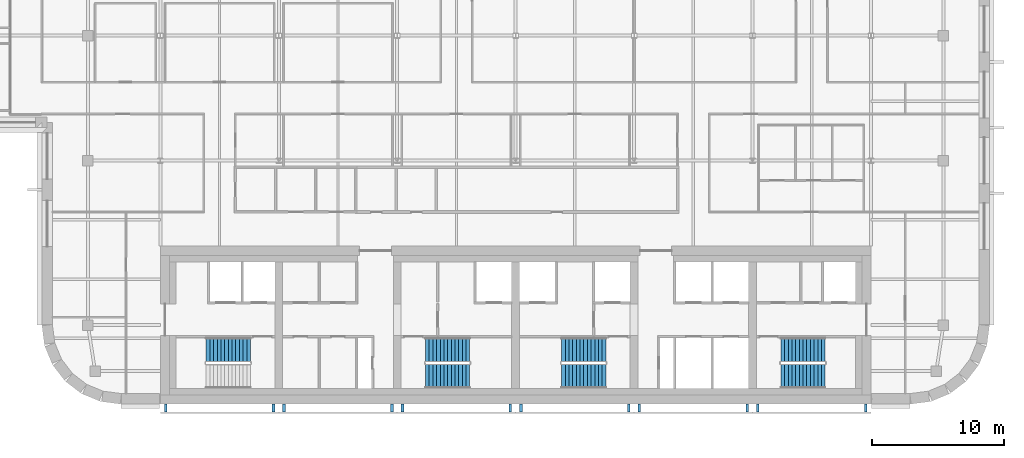
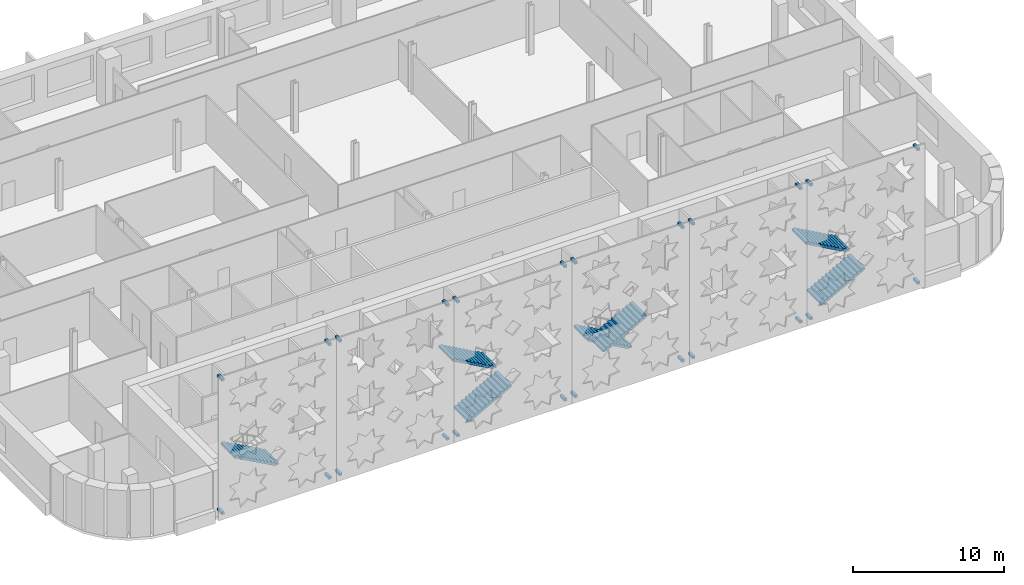
# One storey, part 13 of 18: 24 discrete accessories, 7 stair flights, 4 elements without a shape of their own.
"""IFC4 building model written with IfcOpenShell, lengths in metres."""

from ifc_helpers import new_model, si_unit, direction, frame, origin, origin_2d, place, context, subcontext, project, spatial, polyline, rectangle, outline, extrude, material, type_object, element, aggregate, save


model = new_model("IFC4")

# Units and contexts
model_context = context("Model", 3, precision=1e-05, world=origin(), true_north=direction((0.0, 1.0)))
body_context = subcontext(model_context, "Body", "Model", "MODEL_VIEW")
ifc_project = project(units=[si_unit("LENGTHUNIT", "METRE"), si_unit("AREAUNIT", "SQUARE_METRE"), si_unit("VOLUMEUNIT", "CUBIC_METRE"), si_unit("PLANEANGLEUNIT", "RADIAN"), si_unit("MASSUNIT", "GRAM", prefix="KILO")], contexts=[model_context])

# Site, building, storey
site_placement = place(None, origin())
site = spatial("IfcSite", under=ifc_project, at=site_placement, CompositionType="ELEMENT")
building_placement = place(site_placement, origin())
building = spatial("IfcBuilding", under=site, at=building_placement, Name="Zellij Exchange Tower", CompositionType="ELEMENT")
storey_placement = place(building_placement, frame((0.0, 0.0, 228.5)))
storey = spatial("IfcBuildingStorey", under=building, at=storey_placement, Name="L53", CompositionType="ELEMENT", Elevation=228.5)

# Stair, stair flight
ifc_material_1 = material(Name="Concrete C40/50", Category="concrete")
stair_type = type_object("IfcStairType", Name="CORE-ST exit stair 1850 wide", PredefinedType="HALF_TURN_STAIR", material=ifc_material_1)
stair_1_placement = place(storey_placement, origin())
stair_1 = element("IfcStair", 1, at=stair_1_placement, inside=storey, type_object=stair_type, Name="L53 exit stair ST1", PredefinedType="HALF_TURN_STAIR")
stair_flight_type = type_object("IfcStairFlightType", Name="CORE-SF flight 1850 riser 153.8 going 280", PredefinedType="STRAIGHT", material=ifc_material_1)
stair_flight_1_placement = place(storey_placement, frame((-20.14990234375, -9.875, 0.0), z_axis=(0.0, 0.0, 1.0), x_axis=(-1.0, 0.0, 0.0)))
stair_flight_1 = element("IfcStairFlight", 2, at=stair_flight_1_placement, type_object=stair_flight_type, Name="ST1 flight 1", NumberOfRisers=13, NumberOfTreads=12, PredefinedType="STRAIGHT", RiserHeight=0.153846154, TreadLength=0.28, context=body_context, shape_type="SweptSolid", body=[
    extrude(outline(polyline([(0.0, 0.0), (0.0, 0.15380859375), (0.280029296875, 0.15380859375), (0.280029296875, 0.3076171875), (0.56005859375, 0.3076171875), (0.56005859375, 0.46142578125), (0.840087890625, 0.46142578125), (0.840087890625, 0.615478515625), (1.1201171875, 0.615478515625), (1.1201171875, 0.769287109375), (1.39990234375, 0.769287109375), (1.39990234375, 0.923095703125), (1.679931640625, 0.923095703125), (1.679931640625, 1.076904296875), (1.9599609375, 1.076904296875), (1.9599609375, 1.230712890625), (2.239990234375, 1.230712890625), (2.239990234375, 1.384521484375), (2.52001953125, 1.384521484375), (2.52001953125, 1.53857421875), (2.800048828125, 1.53857421875), (2.800048828125, 1.6923828125), (3.080078125, 1.6923828125), (3.080078125, 1.84619140625), (3.360107421875, 1.84619140625), (3.360107421875, 2.0), (3.360107421875, 1.675048828125), (0.311279296875, 0.0), (0.0, 0.0)])), frame((0.0, 0.925048828125, 0.0), z_axis=(0.0, -1.0, 0.0), x_axis=(1.0, 0.0, 0.0)), (0.0, 0.0, 1.0), 1.85009765625),
])
aggregate(stair_1, [stair_flight_1])

# Stair, stair flights
stair_2_placement = place(storey_placement, origin())
stair_2 = element("IfcStair", 3, at=stair_2_placement, inside=storey, type_object=stair_type, Name="L53 exit stair ST2", PredefinedType="HALF_TURN_STAIR")
stair_flight_2_placement = place(storey_placement, frame((-6.85009765625, -11.875, 0.0), z_axis=(0.0, 0.0, 1.0), x_axis=(1.0, 0.0, 0.0)))
stair_flight_2 = element("IfcStairFlight", 4, at=stair_flight_2_placement, type_object=stair_flight_type, Name="ST2 flight 1", NumberOfRisers=13, NumberOfTreads=12, PredefinedType="STRAIGHT", RiserHeight=0.153846154, TreadLength=0.28, context=body_context, shape_type="SweptSolid", body=[
    extrude(outline(polyline([(0.0, 0.0), (0.0, 0.15380859375), (0.280029296875, 0.15380859375), (0.280029296875, 0.3076171875), (0.56005859375, 0.3076171875), (0.56005859375, 0.46142578125), (0.840087890625, 0.46142578125), (0.840087890625, 0.615478515625), (1.1201171875, 0.615478515625), (1.1201171875, 0.769287109375), (1.39990234375, 0.769287109375), (1.39990234375, 0.923095703125), (1.679931640625, 0.923095703125), (1.679931640625, 1.076904296875), (1.9599609375, 1.076904296875), (1.9599609375, 1.230712890625), (2.239990234375, 1.230712890625), (2.239990234375, 1.384521484375), (2.52001953125, 1.384521484375), (2.52001953125, 1.53857421875), (2.800048828125, 1.53857421875), (2.800048828125, 1.6923828125), (3.080078125, 1.6923828125), (3.080078125, 1.84619140625), (3.360107421875, 1.84619140625), (3.360107421875, 2.0), (3.360107421875, 1.675048828125), (0.311279296875, 0.0), (0.0, 0.0)])), frame((0.0, 0.925048828125, 0.0), z_axis=(0.0, -1.0, 0.0), x_axis=(1.0, 0.0, 0.0)), (0.0, 0.0, 1.0), 1.85009765625),
])
stair_flight_3_placement = place(storey_placement, frame((-3.489990234375, -9.875, 2.0), z_axis=(0.0, 0.0, 1.0), x_axis=(-1.0, 0.0, 0.0)))
stair_flight_3 = element("IfcStairFlight", 5, at=stair_flight_3_placement, type_object=stair_flight_type, Name="ST2 flight 2", NumberOfRisers=13, NumberOfTreads=12, PredefinedType="STRAIGHT", RiserHeight=0.153846154, TreadLength=0.28, context=body_context, shape_type="SweptSolid", body=[
    extrude(outline(polyline([(0.0, 0.0), (0.0, 0.15380859375), (0.280029296875, 0.15380859375), (0.280029296875, 0.3076171875), (0.56005859375, 0.3076171875), (0.56005859375, 0.46142578125), (0.840087890625, 0.46142578125), (0.840087890625, 0.615478515625), (1.1201171875, 0.615478515625), (1.1201171875, 0.769287109375), (1.39990234375, 0.769287109375), (1.39990234375, 0.923095703125), (1.679931640625, 0.923095703125), (1.679931640625, 1.076904296875), (1.9599609375, 1.076904296875), (1.9599609375, 1.230712890625), (2.239990234375, 1.230712890625), (2.239990234375, 1.384521484375), (2.52001953125, 1.384521484375), (2.52001953125, 1.53857421875), (2.800048828125, 1.53857421875), (2.800048828125, 1.6923828125), (3.080078125, 1.6923828125), (3.080078125, 1.84619140625), (3.360107421875, 1.84619140625), (3.360107421875, 2.0), (3.360107421875, 1.675048828125), (0.311279296875, 0.0), (0.0, 0.0)])), frame((0.0, 0.925048828125, 0.0), z_axis=(0.0, -1.0, 0.0), x_axis=(1.0, 0.0, 0.0)), (0.0, 0.0, 1.0), 1.85009765625),
])
aggregate(stair_2, [stair_flight_2, stair_flight_3])

stair_3_placement = place(storey_placement, origin())
stair_3 = element("IfcStair", 6, at=stair_3_placement, inside=storey, type_object=stair_type, Name="L53 exit stair ST3", PredefinedType="HALF_TURN_STAIR")
stair_flight_4_placement = place(storey_placement, frame((6.85009765625, -9.875, 0.0), z_axis=(0.0, 0.0, 1.0), x_axis=(-1.0, 0.0, 0.0)))
stair_flight_4 = element("IfcStairFlight", 7, at=stair_flight_4_placement, type_object=stair_flight_type, Name="ST3 flight 1", NumberOfRisers=13, NumberOfTreads=12, PredefinedType="STRAIGHT", RiserHeight=0.153846154, TreadLength=0.28, context=body_context, shape_type="SweptSolid", body=[
    extrude(outline(polyline([(0.0, 0.0), (0.0, 0.15380859375), (0.280029296875, 0.15380859375), (0.280029296875, 0.3076171875), (0.56005859375, 0.3076171875), (0.56005859375, 0.46142578125), (0.840087890625, 0.46142578125), (0.840087890625, 0.615478515625), (1.1201171875, 0.615478515625), (1.1201171875, 0.769287109375), (1.39990234375, 0.769287109375), (1.39990234375, 0.923095703125), (1.679931640625, 0.923095703125), (1.679931640625, 1.076904296875), (1.9599609375, 1.076904296875), (1.9599609375, 1.230712890625), (2.239990234375, 1.230712890625), (2.239990234375, 1.384521484375), (2.52001953125, 1.384521484375), (2.52001953125, 1.53857421875), (2.800048828125, 1.53857421875), (2.800048828125, 1.6923828125), (3.080078125, 1.6923828125), (3.080078125, 1.84619140625), (3.360107421875, 1.84619140625), (3.360107421875, 2.0), (3.360107421875, 1.675048828125), (0.311279296875, 0.0), (0.0, 0.0)])), frame((0.0, 0.925048828125, 0.0), z_axis=(0.0, -1.0, 0.0), x_axis=(1.0, 0.0, 0.0)), (0.0, 0.0, 1.0), 1.85009765625),
])
stair_flight_5_placement = place(storey_placement, frame((3.489990234375, -11.875, 2.0), z_axis=(0.0, 0.0, 1.0), x_axis=(1.0, 0.0, 0.0)))
stair_flight_5 = element("IfcStairFlight", 8, at=stair_flight_5_placement, type_object=stair_flight_type, Name="ST3 flight 2", NumberOfRisers=13, NumberOfTreads=12, PredefinedType="STRAIGHT", RiserHeight=0.153846154, TreadLength=0.28, context=body_context, shape_type="SweptSolid", body=[
    extrude(outline(polyline([(0.0, 0.0), (0.0, 0.15380859375), (0.280029296875, 0.15380859375), (0.280029296875, 0.3076171875), (0.56005859375, 0.3076171875), (0.56005859375, 0.46142578125), (0.840087890625, 0.46142578125), (0.840087890625, 0.615478515625), (1.1201171875, 0.615478515625), (1.1201171875, 0.769287109375), (1.39990234375, 0.769287109375), (1.39990234375, 0.923095703125), (1.679931640625, 0.923095703125), (1.679931640625, 1.076904296875), (1.9599609375, 1.076904296875), (1.9599609375, 1.230712890625), (2.239990234375, 1.230712890625), (2.239990234375, 1.384521484375), (2.52001953125, 1.384521484375), (2.52001953125, 1.53857421875), (2.800048828125, 1.53857421875), (2.800048828125, 1.6923828125), (3.080078125, 1.6923828125), (3.080078125, 1.84619140625), (3.360107421875, 1.84619140625), (3.360107421875, 2.0), (3.360107421875, 1.675048828125), (0.311279296875, 0.0), (0.0, 0.0)])), frame((0.0, 0.925048828125, 0.0), z_axis=(0.0, -1.0, 0.0), x_axis=(1.0, 0.0, 0.0)), (0.0, 0.0, 1.0), 1.85009765625),
])
aggregate(stair_3, [stair_flight_4, stair_flight_5])

stair_4_placement = place(storey_placement, origin())
stair_4 = element("IfcStair", 9, at=stair_4_placement, inside=storey, type_object=stair_type, Name="L53 exit stair ST4", PredefinedType="HALF_TURN_STAIR")
stair_flight_6_placement = place(storey_placement, frame((20.14990234375, -11.875, 0.0), z_axis=(0.0, 0.0, 1.0), x_axis=(1.0, 0.0, 0.0)))
stair_flight_6 = element("IfcStairFlight", 10, at=stair_flight_6_placement, type_object=stair_flight_type, Name="ST4 flight 1", NumberOfRisers=13, NumberOfTreads=12, PredefinedType="STRAIGHT", RiserHeight=0.153846154, TreadLength=0.28, context=body_context, shape_type="SweptSolid", body=[
    extrude(outline(polyline([(0.0, 0.0), (0.0, 0.15380859375), (0.280029296875, 0.15380859375), (0.280029296875, 0.3076171875), (0.56005859375, 0.3076171875), (0.56005859375, 0.46142578125), (0.840087890625, 0.46142578125), (0.840087890625, 0.615478515625), (1.1201171875, 0.615478515625), (1.1201171875, 0.769287109375), (1.39990234375, 0.769287109375), (1.39990234375, 0.923095703125), (1.679931640625, 0.923095703125), (1.679931640625, 1.076904296875), (1.9599609375, 1.076904296875), (1.9599609375, 1.230712890625), (2.239990234375, 1.230712890625), (2.239990234375, 1.384521484375), (2.52001953125, 1.384521484375), (2.52001953125, 1.53857421875), (2.800048828125, 1.53857421875), (2.800048828125, 1.6923828125), (3.080078125, 1.6923828125), (3.080078125, 1.84619140625), (3.360107421875, 1.84619140625), (3.360107421875, 2.0), (3.360107421875, 1.675048828125), (0.311279296875, 0.0), (0.0, 0.0)])), frame((0.0, 0.925048828125, 0.0), z_axis=(0.0, -1.0, 0.0), x_axis=(1.0, 0.0, 0.0)), (0.0, 0.0, 1.0), 1.85009765625),
])
stair_flight_7_placement = place(storey_placement, frame((23.510009765625, -9.875, 2.0), z_axis=(0.0, 0.0, 1.0), x_axis=(-1.0, 0.0, 0.0)))
stair_flight_7 = element("IfcStairFlight", 11, at=stair_flight_7_placement, type_object=stair_flight_type, Name="ST4 flight 2", NumberOfRisers=13, NumberOfTreads=12, PredefinedType="STRAIGHT", RiserHeight=0.153846154, TreadLength=0.28, context=body_context, shape_type="SweptSolid", body=[
    extrude(outline(polyline([(0.0, 0.0), (0.0, 0.15380859375), (0.280029296875, 0.15380859375), (0.280029296875, 0.3076171875), (0.56005859375, 0.3076171875), (0.56005859375, 0.46142578125), (0.840087890625, 0.46142578125), (0.840087890625, 0.615478515625), (1.1201171875, 0.615478515625), (1.1201171875, 0.769287109375), (1.39990234375, 0.769287109375), (1.39990234375, 0.923095703125), (1.679931640625, 0.923095703125), (1.679931640625, 1.076904296875), (1.9599609375, 1.076904296875), (1.9599609375, 1.230712890625), (2.239990234375, 1.230712890625), (2.239990234375, 1.384521484375), (2.52001953125, 1.384521484375), (2.52001953125, 1.53857421875), (2.800048828125, 1.53857421875), (2.800048828125, 1.6923828125), (3.080078125, 1.6923828125), (3.080078125, 1.84619140625), (3.360107421875, 1.84619140625), (3.360107421875, 2.0), (3.360107421875, 1.675048828125), (0.311279296875, 0.0), (0.0, 0.0)])), frame((0.0, 0.925048828125, 0.0), z_axis=(0.0, -1.0, 0.0), x_axis=(1.0, 0.0, 0.0)), (0.0, 0.0, 1.0), 1.85009765625),
])
aggregate(stair_4, [stair_flight_6, stair_flight_7])

# Discrete accessories
ifc_material_2 = material(Name="Stainless steel", Category="steel")
discrete_accessory_type = type_object("IfcDiscreteAccessoryType", Name="ENV-BR1 Stone panel bracket 200", PredefinedType="USERDEFINED", material=ifc_material_2)
for number, where, z_axis, x_axis, name in (
    (12, (-26.60009765625, -14.300048828125, 0.5), (0.0, 0.0, 1.0), (1.0, 0.0, 0.0), "Panel bracket"),
    (13, (-26.60009765625, -14.300048828125, 11.2998046875), (0.0, 0.0, 1.0), (1.0, 0.0, 0.0), "Panel bracket"),
    (14, (-18.39990234375, -14.300048828125, 0.5), (0.0, 0.0, 1.0), (1.0, 0.0, 0.0), "Panel bracket"),
    (15, (-18.39990234375, -14.300048828125, 11.2998046875), (0.0, 0.0, 1.0), (1.0, 0.0, 0.0), "Panel bracket"),
    (16, (-17.60009765625, -14.300048828125, 0.5), (0.0, 0.0, 1.0), (1.0, 0.0, 0.0), "Panel bracket"),
    (17, (-17.60009765625, -14.300048828125, 11.2998046875), (0.0, 0.0, 1.0), (1.0, 0.0, 0.0), "Panel bracket"),
    (18, (-9.39990234375, -14.300048828125, 0.5), (0.0, 0.0, 1.0), (1.0, 0.0, 0.0), "Panel bracket"),
    (19, (-9.39990234375, -14.300048828125, 11.2998046875), (0.0, 0.0, 1.0), (1.0, 0.0, 0.0), "Panel bracket"),
    (20, (-8.60009765625, -14.300048828125, 0.5), (0.0, 0.0, 1.0), (1.0, 0.0, 0.0), "Panel bracket"),
    (21, (-8.60009765625, -14.300048828125, 11.2998046875), (0.0, 0.0, 1.0), (1.0, 0.0, 0.0), "Panel bracket"),
    (22, (-0.39990234375, -14.300048828125, 0.5), (0.0, 0.0, 1.0), (1.0, 0.0, 0.0), "Panel bracket"),
    (23, (-0.39990234375, -14.300048828125, 11.2998046875), (0.0, 0.0, 1.0), (1.0, 0.0, 0.0), "Panel bracket"),
    (24, (0.39990234375, -14.300048828125, 0.5), (0.0, 0.0, 1.0), (1.0, 0.0, 0.0), "Panel bracket"),
    (25, (0.39990234375, -14.300048828125, 11.2998046875), (0.0, 0.0, 1.0), (1.0, 0.0, 0.0), "Panel bracket"),
    (26, (8.60009765625, -14.300048828125, 0.5), (0.0, 0.0, 1.0), (1.0, 0.0, 0.0), "Panel bracket"),
    (27, (8.60009765625, -14.300048828125, 11.2998046875), (0.0, 0.0, 1.0), (1.0, 0.0, 0.0), "Panel bracket"),
    (28, (9.39990234375, -14.300048828125, 0.5), (0.0, 0.0, 1.0), (1.0, 0.0, 0.0), "Panel bracket"),
    (29, (9.39990234375, -14.300048828125, 11.2998046875), (0.0, 0.0, 1.0), (1.0, 0.0, 0.0), "Panel bracket"),
    (30, (17.60009765625, -14.300048828125, 0.5), (0.0, 0.0, 1.0), (1.0, 0.0, 0.0), "Panel bracket"),
    (31, (17.60009765625, -14.300048828125, 11.2998046875), (0.0, 0.0, 1.0), (1.0, 0.0, 0.0), "Panel bracket"),
    (32, (18.39990234375, -14.300048828125, 0.5), (0.0, 0.0, 1.0), (1.0, 0.0, 0.0), "Panel bracket"),
    (33, (18.39990234375, -14.300048828125, 11.2998046875), (0.0, 0.0, 1.0), (1.0, 0.0, 0.0), "Panel bracket"),
    (34, (26.60009765625, -14.300048828125, 0.5), (0.0, 0.0, 1.0), (1.0, 0.0, 0.0), "Panel bracket"),
    (35, (26.60009765625, -14.300048828125, 11.2998046875), (0.0, 0.0, 1.0), (1.0, 0.0, 0.0), "Panel bracket"),
):
    element("IfcDiscreteAccessory", number, at=place(storey_placement, frame(where, z_axis=z_axis, x_axis=x_axis)), inside=storey, type_object=discrete_accessory_type, Name=name, ObjectType="BRACKET", PredefinedType="USERDEFINED", context=body_context, shape_type="SweptSolid", body=[
        extrude(rectangle(XDim=0.199951171875, YDim=0.60009765625, at=origin_2d()), origin(), (0.0, 0.0, 1.0), 0.199951171875),
    ])

save(model, "model.ifc")
